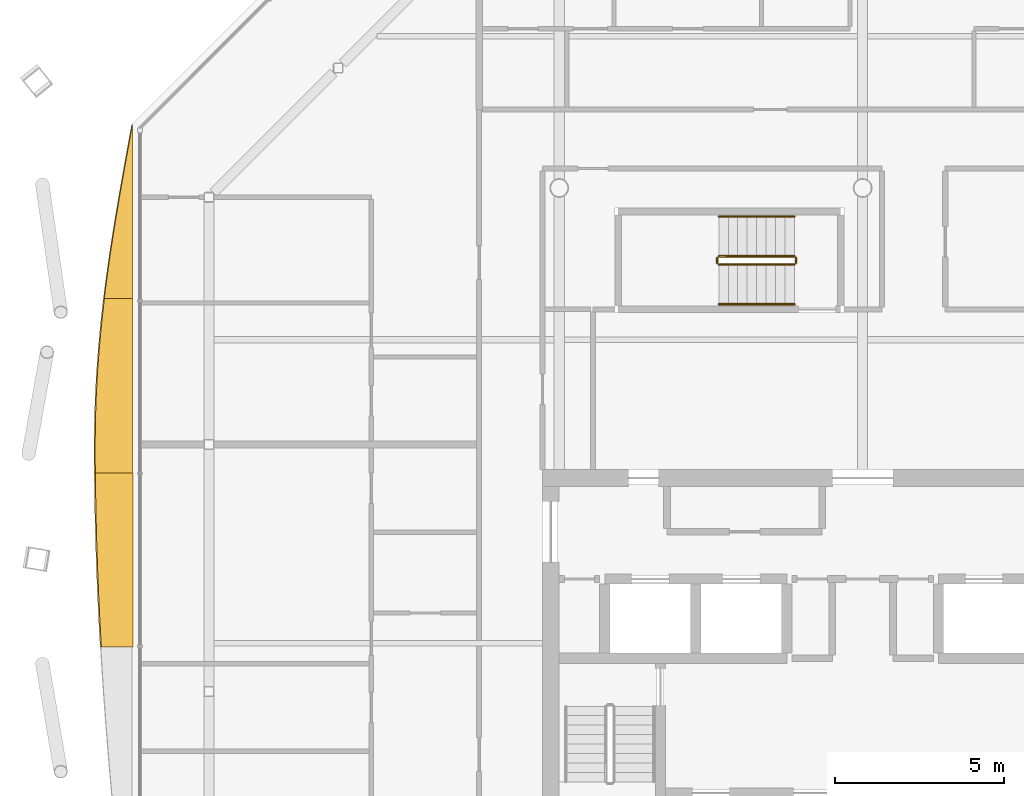
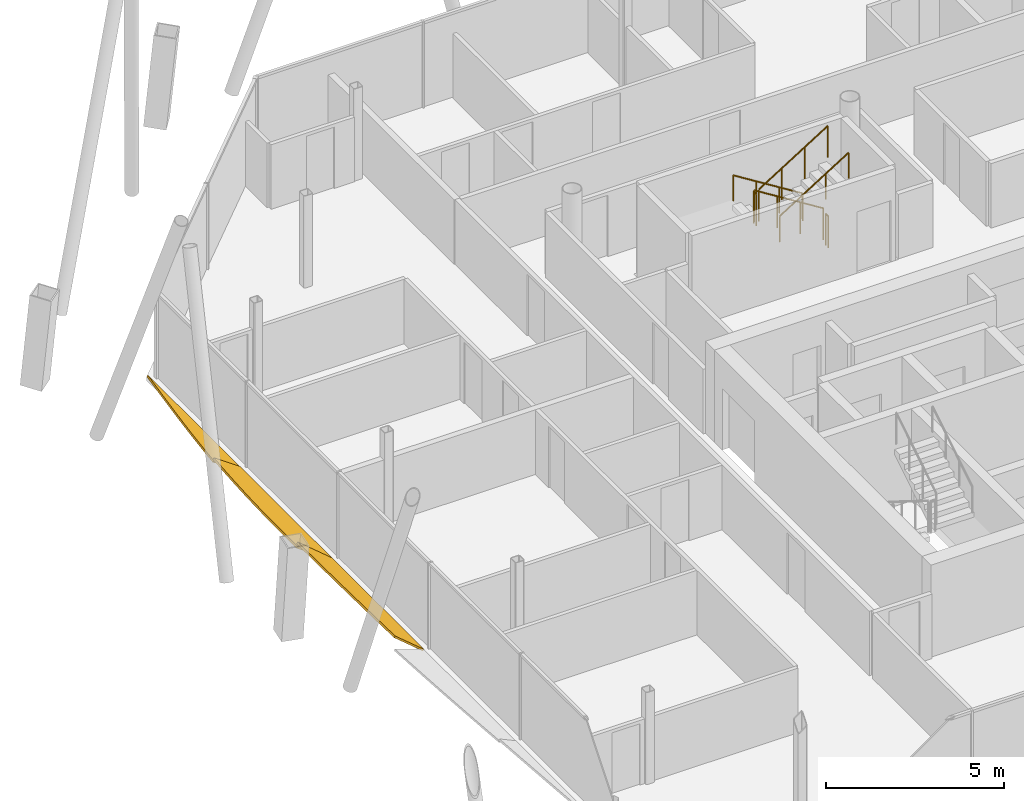
# One storey, part 16 of 17: 6 railings, 3 shading devices.
"""IFC4 building model written with IfcOpenShell, lengths in metres."""

from ifc_helpers import new_model, si_unit, direction, frame, origin, origin_2d, place, context, subcontext, project, spatial, polyline, circle, outline, extrude, material, layer, layer_set, type_object, element, save


model = new_model("IFC4")

# Units and contexts
model_context = context("Model", 3, precision=1e-05, world=origin(), true_north=direction((0.0, 1.0)))
body_context = subcontext(model_context, "Body", "Model", "MODEL_VIEW")
ifc_project = project(units=[si_unit("LENGTHUNIT", "METRE"), si_unit("AREAUNIT", "SQUARE_METRE"), si_unit("VOLUMEUNIT", "CUBIC_METRE"), si_unit("PLANEANGLEUNIT", "RADIAN"), si_unit("MASSUNIT", "GRAM", prefix="KILO")], contexts=[model_context])

# Site, building, storey
site_placement = place(None, origin())
site = spatial("IfcSite", under=ifc_project, at=site_placement, CompositionType="ELEMENT")
building_placement = place(site_placement, origin())
building = spatial("IfcBuilding", under=site, at=building_placement, Name="Tskaro Facet Tower", CompositionType="ELEMENT")
storey_placement = place(building_placement, frame((0.0, 0.0, 226.64990234375)))
storey = spatial("IfcBuildingStorey", under=building, at=storey_placement, Name="L58", CompositionType="ELEMENT", Elevation=226.64990234375)

# Shading devices
ifc_material_1 = material(Name="Bronze anodised aluminium 6063-T6", Category="aluminium")
ifc_layer = layer(ifc_material_1, 0.06005859375, Name="Bronze anodised aluminium 6063-T6")
ifc_layer_set = layer_set([ifc_layer], Name="Bronze anodised aluminium 6063-T6")
shading_device_type = type_object("IfcShadingDeviceType", Name="Bronze sun blade (FN1)", PredefinedType="USERDEFINED", material=ifc_layer_set)
shading_device_1_placement = place(storey_placement, frame((-21.656982421875, 10.883056640625, 0.052001953125), z_axis=(0.500075806378, -6.389996e-06, 0.865981632504), x_axis=(-3.195483e-06, -0.99999999998, -5.533619e-06)))
element("IfcShadingDevice", 1, at=shading_device_1_placement, inside=storey, type_object=shading_device_type, Name="Fin blade west 1", ObjectType="FIN", PredefinedType="USERDEFINED", context=body_context, shape_type="SweptSolid", body=[
    extrude(outline(polyline([(0.0, 0.0), (5.166259765519525, -2.1879961177793273e-21), (5.166259765758077, -0.968667795219539), (4.428222656111567, -0.8587435049068285), (3.69018554648395, -0.7361309469111159), (2.952148437503167, -0.6024649154741728), (2.2141113278753393, -0.45983580377461086), (1.4760742184377198, -0.3104233374681254), (0.7380371100275592, -0.15640724221041144), (0.0, 0.0)])), origin(), (0.0, 0.0, -1.0), 0.06005859375),
])
shading_device_2_placement = place(storey_placement, frame((-21.652587890625, 5.716796875, 0.04931640625), z_axis=(0.573526117839, -6.784208e-06, 0.819187275359), x_axis=(-3.890921e-06, -0.999999999977, -5.557537e-06)))
element("IfcShadingDevice", 2, at=shading_device_2_placement, inside=storey, type_object=shading_device_type, Name="Fin blade west 2", ObjectType="FIN", PredefinedType="USERDEFINED", context=body_context, shape_type="SweptSolid", body=[
    extrude(outline(polyline([(0.0, 0.0), (5.16625976550611, 0.0), (5.166259765543038, -1.354532781640414), (4.428222655915862, -1.3587329483967165), (4.339599609042901, -1.3587329483967165), (3.69018554628239, -1.3510126507206497), (2.9521484381308754, -1.323171551993011), (2.2141113283407883, -1.2758297121818023), (1.4760742188119924, -1.209387125073829), (0.7380371092737532, -1.1250638413173017), (-5.446639593581495e-10, -1.0240799115604304), (0.0, 0.0)])), origin(), (0.0, 0.0, -1.0), 0.06005859375),
])
shading_device_3_placement = place(storey_placement, frame((-21.6484375, 0.550537109375, 0.046142578125), z_axis=(0.642766113397, 1.1442307e-05, 0.766062480048), x_axis=(7.354727e-06, -0.999999999935, 8.765522e-06)))
element("IfcShadingDevice", 3, at=shading_device_3_placement, inside=storey, type_object=shading_device_type, Name="Fin blade west 3", ObjectType="FIN", PredefinedType="USERDEFINED", context=body_context, shape_type="SweptSolid", body=[
    extrude(outline(polyline([(0.0, 0.0), (5.166015624661816, 4.3757854404055164e-21), (5.166015624969909, -1.2180765929528774), (4.428222653867849, -1.271122716962754), (3.6901855477478436, -1.3178873947363878), (2.9521484368792126, -1.3579299519638033), (2.21411132913317, -1.3911901853409678), (1.476074218434088, -1.4175412711992343), (0.7380371101687302, -1.4364221286205614), (-1.0496667390566072e-09, -1.4483938385229902), (0.0, 0.0)])), origin(), (0.0, 0.0, -1.0), 0.06005859375),
])

# Railings
ifc_material_2 = material(Name="Stainless steel", Category="steel")
railing_type_1 = type_object("IfcRailingType", Name="RL-GUARD-1100", PredefinedType="GUARDRAIL", material=ifc_material_2)
railing_1_placement = place(storey_placement, frame((-2.02490234375, 6.97509765625, 0.175048828125)))
element("IfcRailing", 4, at=railing_1_placement, inside=storey, type_object=railing_type_1, Name="L58 ST-3 stair guard 1", PredefinedType="GUARDRAIL", context=body_context, shape_type="SweptSolid", body=[
    extrude(circle(Radius=0.02392578125, at=origin_2d()), frame((0.0, 0.0, 1.076171875), z_axis=(-0.847972341737, 0.0, 0.530040477369), x_axis=(0.0, -1.0, 0.0)), (0.0, 0.0, 1.0), 2.6416015625),
    extrude(circle(Radius=0.02099609375, at=origin_2d()), origin(), (0.0, 0.0, 1.0), 1.052001953125),
    extrude(circle(Radius=0.02099609375, at=origin_2d()), frame((-0.74658203125, 0.0, 0.466796875)), (0.0, 0.0, 1.0), 1.052001953125),
    extrude(circle(Radius=0.02099609375, at=origin_2d()), frame((-1.493408203125, 0.0, 0.933349609375)), (0.0, 0.0, 1.0), 1.052001953125),
    extrude(circle(Radius=0.02099609375, at=origin_2d()), frame((-2.239990234375, 0.0, 1.400146484375)), (0.0, 0.0, 1.0), 1.052001953125),
])
railing_2_placement = place(storey_placement, frame((-4.31494140625, 6.925048828125, 1.5751953125)))
element("IfcRailing", 5, at=railing_2_placement, inside=storey, type_object=railing_type_1, Name="L58 ST-3 stair guard 2", PredefinedType="GUARDRAIL", context=body_context, shape_type="SweptSolid", body=[
    extrude(circle(Radius=0.02392578125, at=origin_2d()), frame((0.0, 0.0, 1.076171875), z_axis=(0.0, -1.0, 0.0), x_axis=(1.0, 0.0, 0.0)), (0.0, 0.0, 1.0), 0.150146484375),
    extrude(circle(Radius=0.02099609375, at=origin_2d()), origin(), (0.0, 0.0, 1.0), 1.052001953125),
    extrude(circle(Radius=0.02099609375, at=origin_2d()), frame((0.0, -0.150146484375, 0.0)), (0.0, 0.0, 1.0), 1.052001953125),
])
railing_3_placement = place(storey_placement, frame((-4.264892578125, 6.72509765625, 1.75)))
element("IfcRailing", 6, at=railing_3_placement, inside=storey, type_object=railing_type_1, Name="L58 ST-3 stair guard 3", PredefinedType="GUARDRAIL", context=body_context, shape_type="SweptSolid", body=[
    extrude(circle(Radius=0.02392578125, at=origin_2d()), frame((0.0, 0.0, 1.076171875), z_axis=(0.847972341737, 0.0, 0.530040477369), x_axis=(0.0, 1.0, 0.0)), (0.0, 0.0, 1.0), 2.6416015625),
    extrude(circle(Radius=0.02099609375, at=origin_2d()), origin(), (0.0, 0.0, 1.0), 1.052001953125),
    extrude(circle(Radius=0.02099609375, at=origin_2d()), frame((0.74658203125, 0.0, 0.466796875)), (0.0, 0.0, 1.0), 1.052001953125),
    extrude(circle(Radius=0.02099609375, at=origin_2d()), frame((1.493408203125, 0.0, 0.933349609375)), (0.0, 0.0, 1.0), 1.052001953125),
    extrude(circle(Radius=0.02099609375, at=origin_2d()), frame((2.239990234375, 0.0, 1.400146484375)), (0.0, 0.0, 1.0), 1.052001953125),
])
railing_4_placement = place(storey_placement, frame((-1.97509765625, 6.925048828125, 0.0)))
element("IfcRailing", 7, at=railing_4_placement, inside=storey, type_object=railing_type_1, Name="L58 ST-3 stair guard 4", PredefinedType="GUARDRAIL", context=body_context, shape_type="SweptSolid", body=[
    extrude(circle(Radius=0.02392578125, at=origin_2d()), frame((0.0, 0.0, 1.076171875), z_axis=(0.0, -1.0, 0.0), x_axis=(1.0, 0.0, 0.0)), (0.0, 0.0, 1.0), 0.150146484375),
    extrude(circle(Radius=0.02099609375, at=origin_2d()), origin(), (0.0, 0.0, 1.0), 1.052001953125),
    extrude(circle(Radius=0.02099609375, at=origin_2d()), frame((0.0, -0.150146484375, 0.0)), (0.0, 0.0, 1.0), 1.052001953125),
])
railing_type_2 = type_object("IfcRailingType", Name="RL-HANDRAIL-900", PredefinedType="HANDRAIL", material=ifc_material_2)
railing_5_placement = place(storey_placement, frame((-2.02490234375, 8.14990234375, 0.175048828125)))
element("IfcRailing", 8, at=railing_5_placement, inside=storey, type_object=railing_type_2, Name="L58 ST-3 stair handrail 1", PredefinedType="HANDRAIL", context=body_context, shape_type="SweptSolid", body=[
    extrude(circle(Radius=0.02392578125, at=origin_2d()), frame((0.0, 0.0, 0.8759765625), z_axis=(-0.847972341737, 0.0, 0.530040477369), x_axis=(0.0, -1.0, 0.0)), (0.0, 0.0, 1.0), 2.6416015625),
    extrude(circle(Radius=0.02099609375, at=origin_2d()), origin(), (0.0, 0.0, 1.0), 0.851806640625),
    extrude(circle(Radius=0.02099609375, at=origin_2d()), frame((-0.74658203125, 0.0, 0.466796875)), (0.0, 0.0, 1.0), 0.851806640625),
    extrude(circle(Radius=0.02099609375, at=origin_2d()), frame((-1.493408203125, 0.0, 0.933349609375)), (0.0, 0.0, 1.0), 0.851806640625),
    extrude(circle(Radius=0.02099609375, at=origin_2d()), frame((-2.239990234375, 0.0, 1.400146484375)), (0.0, 0.0, 1.0), 0.851806640625),
])
railing_6_placement = place(storey_placement, frame((-4.264892578125, 5.550048828125, 1.75)))
element("IfcRailing", 9, at=railing_6_placement, inside=storey, type_object=railing_type_2, Name="L58 ST-3 stair handrail 2", PredefinedType="HANDRAIL", context=body_context, shape_type="SweptSolid", body=[
    extrude(circle(Radius=0.02392578125, at=origin_2d()), frame((0.0, 0.0, 0.8759765625), z_axis=(0.847972341737, 0.0, 0.530040477369), x_axis=(0.0, 1.0, 0.0)), (0.0, 0.0, 1.0), 2.6416015625),
    extrude(circle(Radius=0.02099609375, at=origin_2d()), origin(), (0.0, 0.0, 1.0), 0.851806640625),
    extrude(circle(Radius=0.02099609375, at=origin_2d()), frame((0.74658203125, 0.0, 0.466796875)), (0.0, 0.0, 1.0), 0.851806640625),
    extrude(circle(Radius=0.02099609375, at=origin_2d()), frame((1.493408203125, 0.0, 0.933349609375)), (0.0, 0.0, 1.0), 0.851806640625),
    extrude(circle(Radius=0.02099609375, at=origin_2d()), frame((2.239990234375, 0.0, 1.400146484375)), (0.0, 0.0, 1.0), 0.851806640625),
])

save(model, "model.ifc")
